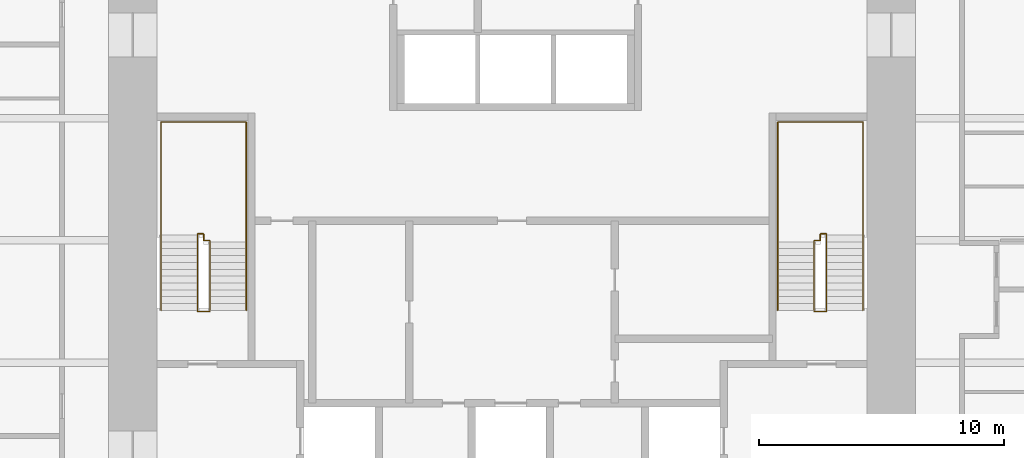
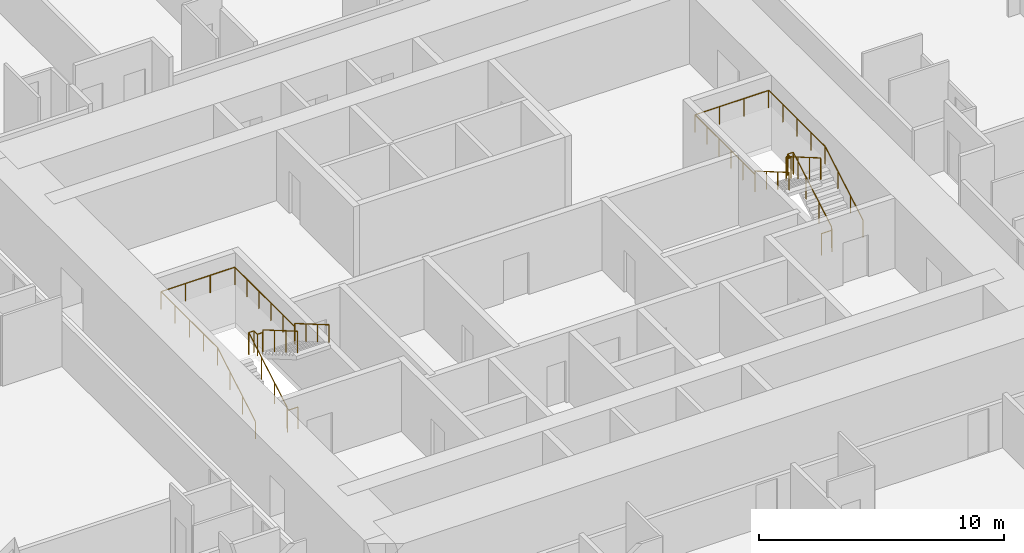
# One storey, part 20 of 20: 4 railings.
"""IFC4 building model written with IfcOpenShell, lengths in metres."""

from ifc_helpers import new_model, si_unit, direction, frame, origin, origin_2d, place, context, subcontext, project, spatial, circle, extrude, material, type_object, element, save


model = new_model("IFC4")

# Units and contexts
model_context = context("Model", 3, precision=1e-05, world=origin(), true_north=direction((0.0, 1.0)))
body_context = subcontext(model_context, "Body", "Model", "MODEL_VIEW")
ifc_project = project(units=[si_unit("LENGTHUNIT", "METRE"), si_unit("AREAUNIT", "SQUARE_METRE"), si_unit("VOLUMEUNIT", "CUBIC_METRE"), si_unit("PLANEANGLEUNIT", "RADIAN"), si_unit("MASSUNIT", "GRAM", prefix="KILO")], contexts=[model_context])

# Site, building, storey
site_placement = place(None, origin())
site = spatial("IfcSite", under=ifc_project, at=site_placement, CompositionType="ELEMENT")
building_placement = place(site_placement, origin())
building = spatial("IfcBuilding", under=site, at=building_placement, Name="Khuree Lantern Residences", CompositionType="ELEMENT")
storey_placement = place(building_placement, frame((0.0, 0.0, 24.75)))
storey = spatial("IfcBuildingStorey", under=building, at=storey_placement, Name="L05", CompositionType="ELEMENT", Elevation=24.75)

# Railings
ifc_material = material(Name="Steel S355", Category="steel")
railing_type_1 = type_object("IfcRailingType", Name="STAIR GUARD G1 1100", PredefinedType="GUARDRAIL", material=ifc_material)
railing_1_placement = place(storey_placement, frame((-12.35009765625, -2.909912109375, 0.0)))
element("IfcRailing", 1, at=railing_1_placement, inside=storey, type_object=railing_type_1, Name="Stair ST1 guard", PredefinedType="GUARDRAIL", context=body_context, shape_type="SweptSolid", body=[
    extrude(circle(Radius=0.02392578125, at=origin_2d()), frame((0.0, 0.0, 1.076171875), z_axis=(-1.0, 0.0, 0.0), x_axis=(0.0, -1.0, 0.0)), (0.0, 0.0, 1.0), 0.5),
    extrude(circle(Radius=0.02392578125, at=origin_2d()), frame((-0.5, 0.0, 1.076171875), z_axis=(0.0, 0.292073035251, 0.95639601739), x_axis=(-1.0, 0.0, 0.0)), (0.0, 0.0, 1.0), 0.17041015625),
    extrude(circle(Radius=0.02392578125, at=origin_2d()), frame((-0.5, 0.0498046875, 1.2392578125), z_axis=(0.0, 0.864176135923, 0.503189433615), x_axis=(-1.0, 0.0, 0.0)), (0.0, 0.0, 1.0), 3.564208984375),
    extrude(circle(Radius=0.02392578125, at=origin_2d()), frame((-0.5, 3.1298828125, 3.03271484375), z_axis=(0.0, 1.0, 0.0), x_axis=(-1.0, 0.0, 0.0)), (0.0, 0.0, 1.0), 0.050048828125),
    extrude(circle(Radius=0.02392578125, at=origin_2d()), frame((-0.5, 3.179931640625, 3.03271484375), z_axis=(1.0, 0.0, 0.0), x_axis=(0.0, 1.0, 0.0)), (0.0, 0.0, 1.0), 0.25),
    extrude(circle(Radius=0.02392578125, at=origin_2d()), frame((-0.25, 3.179931640625, 3.03271484375), z_axis=(0.0, -1.0, 0.0), x_axis=(1.0, 0.0, 0.0)), (0.0, 0.0, 1.0), 0.280029296875),
    extrude(circle(Radius=0.02392578125, at=origin_2d()), frame((-0.25, 2.89990234375, 3.03271484375), z_axis=(1.0, 0.0, 0.0), x_axis=(0.0, 1.0, 0.0)), (0.0, 0.0, 1.0), 0.25),
    extrude(circle(Radius=0.02392578125, at=origin_2d()), frame((0.0, 2.89990234375, 3.03271484375), z_axis=(0.0, -0.293381807449, 0.955995353053), x_axis=(1.0, 0.0, 0.0)), (0.0, 0.0, 1.0), 0.170654296875),
    extrude(circle(Radius=0.02392578125, at=origin_2d()), frame((0.0, 2.849853515625, 3.19580078125), z_axis=(0.0, -0.864180358799, 0.503182181189), x_axis=(1.0, 0.0, 0.0)), (0.0, 0.0, 1.0), 3.240234375),
    extrude(circle(Radius=0.02099609375, at=origin_2d()), origin(), (0.0, 0.0, 1.0), 1.052001953125),
    extrude(circle(Radius=0.02099609375, at=origin_2d()), frame((-0.5, 0.0, 0.0)), (0.0, 0.0, 1.0), 1.052001953125),
    extrude(circle(Radius=0.02099609375, at=origin_2d()), frame((-0.5, 0.0498046875, 0.1630859375)), (0.0, 0.0, 1.0), 1.052001953125),
    extrude(circle(Radius=0.02099609375, at=origin_2d()), frame((-0.5, 1.076416015625, 0.760986328125)), (0.0, 0.0, 1.0), 1.052001953125),
    extrude(circle(Radius=0.02099609375, at=origin_2d()), frame((-0.5, 2.103271484375, 1.358642578125)), (0.0, 0.0, 1.0), 1.052001953125),
    extrude(circle(Radius=0.02099609375, at=origin_2d()), frame((-0.5, 3.1298828125, 1.95654296875)), (0.0, 0.0, 1.0), 1.052001953125),
    extrude(circle(Radius=0.02099609375, at=origin_2d()), frame((-0.5, 3.179931640625, 1.95654296875)), (0.0, 0.0, 1.0), 1.052001953125),
    extrude(circle(Radius=0.02099609375, at=origin_2d()), frame((-0.25, 3.179931640625, 1.95654296875)), (0.0, 0.0, 1.0), 1.052001953125),
    extrude(circle(Radius=0.02099609375, at=origin_2d()), frame((-0.25, 2.89990234375, 1.95654296875)), (0.0, 0.0, 1.0), 1.052001953125),
    extrude(circle(Radius=0.02099609375, at=origin_2d()), frame((0.0, 2.89990234375, 1.95654296875)), (0.0, 0.0, 1.0), 1.052001953125),
    extrude(circle(Radius=0.02099609375, at=origin_2d()), frame((0.0, 2.849853515625, 2.11962890625)), (0.0, 0.0, 1.0), 1.052001953125),
    extrude(circle(Radius=0.02099609375, at=origin_2d()), frame((0.0, 1.91650390625, 2.6630859375)), (0.0, 0.0, 1.0), 1.052001953125),
    extrude(circle(Radius=0.02099609375, at=origin_2d()), frame((0.0, 0.983154296875, 3.20654296875)), (0.0, 0.0, 1.0), 1.052001953125),
    extrude(circle(Radius=0.02099609375, at=origin_2d()), frame((0.0, 0.0498046875, 3.75)), (0.0, 0.0, 1.0), 1.052001953125),
])
railing_2_placement = place(storey_placement, frame((12.35009765625, -2.909912109375, 0.0)))
element("IfcRailing", 2, at=railing_2_placement, inside=storey, type_object=railing_type_1, Name="Stair ST2 guard", PredefinedType="GUARDRAIL", context=body_context, shape_type="SweptSolid", body=[
    extrude(circle(Radius=0.02392578125, at=origin_2d()), frame((0.0, 0.0, 1.076171875), z_axis=(1.0, 0.0, 0.0), x_axis=(0.0, 1.0, 0.0)), (0.0, 0.0, 1.0), 0.5),
    extrude(circle(Radius=0.02392578125, at=origin_2d()), frame((0.5, 0.0, 1.076171875), z_axis=(0.0, 0.292073035251, 0.95639601739), x_axis=(-1.0, 0.0, 0.0)), (0.0, 0.0, 1.0), 0.17041015625),
    extrude(circle(Radius=0.02392578125, at=origin_2d()), frame((0.5, 0.0498046875, 1.2392578125), z_axis=(0.0, 0.864176135923, 0.503189433615), x_axis=(-1.0, 0.0, 0.0)), (0.0, 0.0, 1.0), 3.564208984375),
    extrude(circle(Radius=0.02392578125, at=origin_2d()), frame((0.5, 3.1298828125, 3.03271484375), z_axis=(0.0, 1.0, 0.0), x_axis=(-1.0, 0.0, 0.0)), (0.0, 0.0, 1.0), 0.050048828125),
    extrude(circle(Radius=0.02392578125, at=origin_2d()), frame((0.5, 3.179931640625, 3.03271484375), z_axis=(-1.0, 0.0, 0.0), x_axis=(0.0, -1.0, 0.0)), (0.0, 0.0, 1.0), 0.25),
    extrude(circle(Radius=0.02392578125, at=origin_2d()), frame((0.25, 3.179931640625, 3.03271484375), z_axis=(0.0, -1.0, 0.0), x_axis=(1.0, 0.0, 0.0)), (0.0, 0.0, 1.0), 0.280029296875),
    extrude(circle(Radius=0.02392578125, at=origin_2d()), frame((0.25, 2.89990234375, 3.03271484375), z_axis=(-1.0, 0.0, 0.0), x_axis=(0.0, -1.0, 0.0)), (0.0, 0.0, 1.0), 0.25),
    extrude(circle(Radius=0.02392578125, at=origin_2d()), frame((0.0, 2.89990234375, 3.03271484375), z_axis=(0.0, -0.293381807449, 0.955995353053), x_axis=(1.0, 0.0, 0.0)), (0.0, 0.0, 1.0), 0.170654296875),
    extrude(circle(Radius=0.02392578125, at=origin_2d()), frame((0.0, 2.849853515625, 3.19580078125), z_axis=(0.0, -0.864180358799, 0.503182181189), x_axis=(1.0, 0.0, 0.0)), (0.0, 0.0, 1.0), 3.240234375),
    extrude(circle(Radius=0.02099609375, at=origin_2d()), origin(), (0.0, 0.0, 1.0), 1.052001953125),
    extrude(circle(Radius=0.02099609375, at=origin_2d()), frame((0.5, 0.0, 0.0)), (0.0, 0.0, 1.0), 1.052001953125),
    extrude(circle(Radius=0.02099609375, at=origin_2d()), frame((0.5, 0.0498046875, 0.1630859375)), (0.0, 0.0, 1.0), 1.052001953125),
    extrude(circle(Radius=0.02099609375, at=origin_2d()), frame((0.5, 1.076416015625, 0.760986328125)), (0.0, 0.0, 1.0), 1.052001953125),
    extrude(circle(Radius=0.02099609375, at=origin_2d()), frame((0.5, 2.103271484375, 1.358642578125)), (0.0, 0.0, 1.0), 1.052001953125),
    extrude(circle(Radius=0.02099609375, at=origin_2d()), frame((0.5, 3.1298828125, 1.95654296875)), (0.0, 0.0, 1.0), 1.052001953125),
    extrude(circle(Radius=0.02099609375, at=origin_2d()), frame((0.5, 3.179931640625, 1.95654296875)), (0.0, 0.0, 1.0), 1.052001953125),
    extrude(circle(Radius=0.02099609375, at=origin_2d()), frame((0.25, 3.179931640625, 1.95654296875)), (0.0, 0.0, 1.0), 1.052001953125),
    extrude(circle(Radius=0.02099609375, at=origin_2d()), frame((0.25, 2.89990234375, 1.95654296875)), (0.0, 0.0, 1.0), 1.052001953125),
    extrude(circle(Radius=0.02099609375, at=origin_2d()), frame((0.0, 2.89990234375, 1.95654296875)), (0.0, 0.0, 1.0), 1.052001953125),
    extrude(circle(Radius=0.02099609375, at=origin_2d()), frame((0.0, 2.849853515625, 2.11962890625)), (0.0, 0.0, 1.0), 1.052001953125),
    extrude(circle(Radius=0.02099609375, at=origin_2d()), frame((0.0, 1.91650390625, 2.6630859375)), (0.0, 0.0, 1.0), 1.052001953125),
    extrude(circle(Radius=0.02099609375, at=origin_2d()), frame((0.0, 0.983154296875, 3.20654296875)), (0.0, 0.0, 1.0), 1.052001953125),
    extrude(circle(Radius=0.02099609375, at=origin_2d()), frame((0.0, 0.0498046875, 3.75)), (0.0, 0.0, 1.0), 1.052001953125),
])
railing_type_2 = type_object("IfcRailingType", Name="STAIR HANDRAIL H1 900", PredefinedType="HANDRAIL", material=ifc_material)
railing_3_placement = place(storey_placement, frame((-14.340087890625, -2.860107421875, 0.1630859375)))
element("IfcRailing", 3, at=railing_3_placement, inside=storey, type_object=railing_type_2, Name="Stair ST1 handrail", PredefinedType="HANDRAIL", context=body_context, shape_type="SweptSolid", body=[
    extrude(circle(Radius=0.02392578125, at=origin_2d()), frame((0.0, 0.0, 0.8759765625), z_axis=(0.0, 0.864176135923, 0.503189433615), x_axis=(-1.0, 0.0, 0.0)), (0.0, 0.0, 1.0), 3.564208984375),
    extrude(circle(Radius=0.02392578125, at=origin_2d()), frame((0.0, 3.080078125, 2.66943359375), z_axis=(0.0, 1.0, 0.0), x_axis=(-1.0, 0.0, 0.0)), (0.0, 0.0, 1.0), 4.6201171875),
    extrude(circle(Radius=0.02392578125, at=origin_2d()), frame((0.0, 7.7001953125, 2.66943359375), z_axis=(1.0, 0.0, 0.0), x_axis=(0.0, 1.0, 0.0)), (0.0, 0.0, 1.0), 3.47998046875),
    extrude(circle(Radius=0.02392578125, at=origin_2d()), frame((3.47998046875, 7.7001953125, 2.66943359375), z_axis=(0.0, -1.0, 0.0), x_axis=(1.0, 0.0, 0.0)), (0.0, 0.0, 1.0), 4.900146484375),
    extrude(circle(Radius=0.02392578125, at=origin_2d()), frame((3.47998046875, 2.800048828125, 2.66943359375), z_axis=(0.0, 0.0, 1.0), x_axis=(1.0, 0.0, 0.0)), (0.0, 0.0, 1.0), 0.1630859375),
    extrude(circle(Radius=0.02392578125, at=origin_2d()), frame((3.47998046875, 2.800048828125, 2.83251953125), z_axis=(0.0, -0.864180358799, 0.503182181189), x_axis=(1.0, 0.0, 0.0)), (0.0, 0.0, 1.0), 3.240234375),
    extrude(circle(Radius=0.02099609375, at=origin_2d()), origin(), (0.0, 0.0, 1.0), 0.851806640625),
    extrude(circle(Radius=0.02099609375, at=origin_2d()), frame((0.0, 1.026611328125, 0.597900390625)), (0.0, 0.0, 1.0), 0.851806640625),
    extrude(circle(Radius=0.02099609375, at=origin_2d()), frame((0.0, 2.053466796875, 1.195556640625)), (0.0, 0.0, 1.0), 0.851806640625),
    extrude(circle(Radius=0.02099609375, at=origin_2d()), frame((0.0, 3.080078125, 1.79345703125)), (0.0, 0.0, 1.0), 0.851806640625),
    extrude(circle(Radius=0.02099609375, at=origin_2d()), frame((0.0, 4.235107421875, 1.79345703125)), (0.0, 0.0, 1.0), 0.851806640625),
    extrude(circle(Radius=0.02099609375, at=origin_2d()), frame((0.0, 5.39013671875, 1.79345703125)), (0.0, 0.0, 1.0), 0.851806640625),
    extrude(circle(Radius=0.02099609375, at=origin_2d()), frame((0.0, 6.545166015625, 1.79345703125)), (0.0, 0.0, 1.0), 0.851806640625),
    extrude(circle(Radius=0.02099609375, at=origin_2d()), frame((0.0, 7.7001953125, 1.79345703125)), (0.0, 0.0, 1.0), 0.851806640625),
    extrude(circle(Radius=0.02099609375, at=origin_2d()), frame((1.159912109375, 7.7001953125, 1.79345703125)), (0.0, 0.0, 1.0), 0.851806640625),
    extrude(circle(Radius=0.02099609375, at=origin_2d()), frame((2.320068359375, 7.7001953125, 1.79345703125)), (0.0, 0.0, 1.0), 0.851806640625),
    extrude(circle(Radius=0.02099609375, at=origin_2d()), frame((3.47998046875, 7.7001953125, 1.79345703125)), (0.0, 0.0, 1.0), 0.851806640625),
    extrude(circle(Radius=0.02099609375, at=origin_2d()), frame((3.47998046875, 6.72021484375, 1.79345703125)), (0.0, 0.0, 1.0), 0.851806640625),
    extrude(circle(Radius=0.02099609375, at=origin_2d()), frame((3.47998046875, 5.740234375, 1.79345703125)), (0.0, 0.0, 1.0), 0.851806640625),
    extrude(circle(Radius=0.02099609375, at=origin_2d()), frame((3.47998046875, 4.760009765625, 1.79345703125)), (0.0, 0.0, 1.0), 0.851806640625),
    extrude(circle(Radius=0.02099609375, at=origin_2d()), frame((3.47998046875, 3.780029296875, 1.79345703125)), (0.0, 0.0, 1.0), 0.851806640625),
    extrude(circle(Radius=0.02099609375, at=origin_2d()), frame((3.47998046875, 2.800048828125, 1.79345703125)), (0.0, 0.0, 1.0), 0.851806640625),
    extrude(circle(Radius=0.02099609375, at=origin_2d()), frame((3.47998046875, 2.800048828125, 1.95654296875)), (0.0, 0.0, 1.0), 0.851806640625),
    extrude(circle(Radius=0.02099609375, at=origin_2d()), frame((3.47998046875, 1.86669921875, 2.5)), (0.0, 0.0, 1.0), 0.851806640625),
    extrude(circle(Radius=0.02099609375, at=origin_2d()), frame((3.47998046875, 0.933349609375, 3.04345703125)), (0.0, 0.0, 1.0), 0.851806640625),
    extrude(circle(Radius=0.02099609375, at=origin_2d()), frame((3.47998046875, 0.0, 3.5869140625)), (0.0, 0.0, 1.0), 0.851806640625),
])
railing_4_placement = place(storey_placement, frame((14.340087890625, -2.860107421875, 0.1630859375)))
element("IfcRailing", 4, at=railing_4_placement, inside=storey, type_object=railing_type_2, Name="Stair ST2 handrail", PredefinedType="HANDRAIL", context=body_context, shape_type="SweptSolid", body=[
    extrude(circle(Radius=0.02392578125, at=origin_2d()), frame((0.0, 0.0, 0.8759765625), z_axis=(0.0, 0.864176135923, 0.503189433615), x_axis=(-1.0, 0.0, 0.0)), (0.0, 0.0, 1.0), 3.564208984375),
    extrude(circle(Radius=0.02392578125, at=origin_2d()), frame((0.0, 3.080078125, 2.66943359375), z_axis=(0.0, 1.0, 0.0), x_axis=(-1.0, 0.0, 0.0)), (0.0, 0.0, 1.0), 4.6201171875),
    extrude(circle(Radius=0.02392578125, at=origin_2d()), frame((0.0, 7.7001953125, 2.66943359375), z_axis=(-1.0, 0.0, 0.0), x_axis=(0.0, -1.0, 0.0)), (0.0, 0.0, 1.0), 3.47998046875),
    extrude(circle(Radius=0.02392578125, at=origin_2d()), frame((-3.47998046875, 7.7001953125, 2.66943359375), z_axis=(0.0, -1.0, 0.0), x_axis=(1.0, 0.0, 0.0)), (0.0, 0.0, 1.0), 4.900146484375),
    extrude(circle(Radius=0.02392578125, at=origin_2d()), frame((-3.47998046875, 2.800048828125, 2.66943359375), z_axis=(0.0, 0.0, 1.0), x_axis=(1.0, 0.0, 0.0)), (0.0, 0.0, 1.0), 0.1630859375),
    extrude(circle(Radius=0.02392578125, at=origin_2d()), frame((-3.47998046875, 2.800048828125, 2.83251953125), z_axis=(0.0, -0.864180358799, 0.503182181189), x_axis=(1.0, 0.0, 0.0)), (0.0, 0.0, 1.0), 3.240234375),
    extrude(circle(Radius=0.02099609375, at=origin_2d()), origin(), (0.0, 0.0, 1.0), 0.851806640625),
    extrude(circle(Radius=0.02099609375, at=origin_2d()), frame((0.0, 1.026611328125, 0.597900390625)), (0.0, 0.0, 1.0), 0.851806640625),
    extrude(circle(Radius=0.02099609375, at=origin_2d()), frame((0.0, 2.053466796875, 1.195556640625)), (0.0, 0.0, 1.0), 0.851806640625),
    extrude(circle(Radius=0.02099609375, at=origin_2d()), frame((0.0, 3.080078125, 1.79345703125)), (0.0, 0.0, 1.0), 0.851806640625),
    extrude(circle(Radius=0.02099609375, at=origin_2d()), frame((0.0, 4.235107421875, 1.79345703125)), (0.0, 0.0, 1.0), 0.851806640625),
    extrude(circle(Radius=0.02099609375, at=origin_2d()), frame((0.0, 5.39013671875, 1.79345703125)), (0.0, 0.0, 1.0), 0.851806640625),
    extrude(circle(Radius=0.02099609375, at=origin_2d()), frame((0.0, 6.545166015625, 1.79345703125)), (0.0, 0.0, 1.0), 0.851806640625),
    extrude(circle(Radius=0.02099609375, at=origin_2d()), frame((0.0, 7.7001953125, 1.79345703125)), (0.0, 0.0, 1.0), 0.851806640625),
    extrude(circle(Radius=0.02099609375, at=origin_2d()), frame((-1.159912109375, 7.7001953125, 1.79345703125)), (0.0, 0.0, 1.0), 0.851806640625),
    extrude(circle(Radius=0.02099609375, at=origin_2d()), frame((-2.320068359375, 7.7001953125, 1.79345703125)), (0.0, 0.0, 1.0), 0.851806640625),
    extrude(circle(Radius=0.02099609375, at=origin_2d()), frame((-3.47998046875, 7.7001953125, 1.79345703125)), (0.0, 0.0, 1.0), 0.851806640625),
    extrude(circle(Radius=0.02099609375, at=origin_2d()), frame((-3.47998046875, 6.72021484375, 1.79345703125)), (0.0, 0.0, 1.0), 0.851806640625),
    extrude(circle(Radius=0.02099609375, at=origin_2d()), frame((-3.47998046875, 5.740234375, 1.79345703125)), (0.0, 0.0, 1.0), 0.851806640625),
    extrude(circle(Radius=0.02099609375, at=origin_2d()), frame((-3.47998046875, 4.760009765625, 1.79345703125)), (0.0, 0.0, 1.0), 0.851806640625),
    extrude(circle(Radius=0.02099609375, at=origin_2d()), frame((-3.47998046875, 3.780029296875, 1.79345703125)), (0.0, 0.0, 1.0), 0.851806640625),
    extrude(circle(Radius=0.02099609375, at=origin_2d()), frame((-3.47998046875, 2.800048828125, 1.79345703125)), (0.0, 0.0, 1.0), 0.851806640625),
    extrude(circle(Radius=0.02099609375, at=origin_2d()), frame((-3.47998046875, 2.800048828125, 1.95654296875)), (0.0, 0.0, 1.0), 0.851806640625),
    extrude(circle(Radius=0.02099609375, at=origin_2d()), frame((-3.47998046875, 1.86669921875, 2.5)), (0.0, 0.0, 1.0), 0.851806640625),
    extrude(circle(Radius=0.02099609375, at=origin_2d()), frame((-3.47998046875, 0.933349609375, 3.04345703125)), (0.0, 0.0, 1.0), 0.851806640625),
    extrude(circle(Radius=0.02099609375, at=origin_2d()), frame((-3.47998046875, 0.0, 3.5869140625)), (0.0, 0.0, 1.0), 0.851806640625),
])

save(model, "model.ifc")
